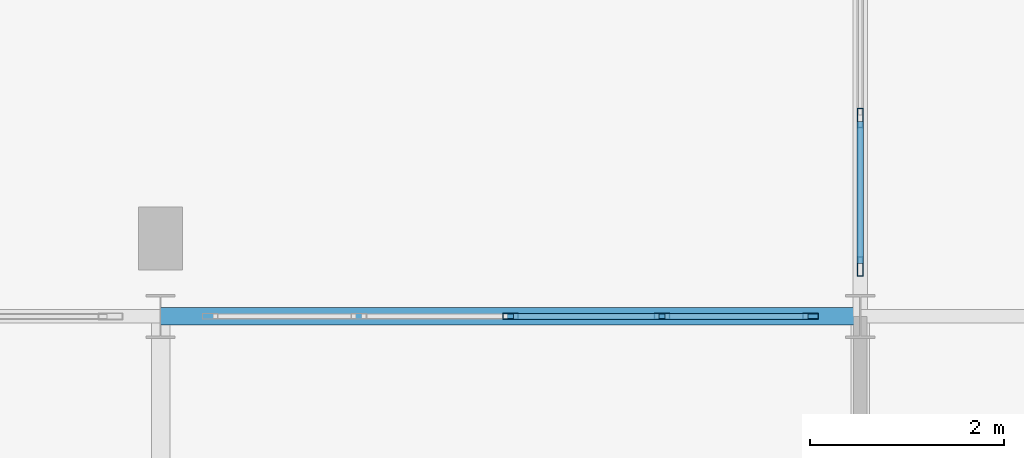
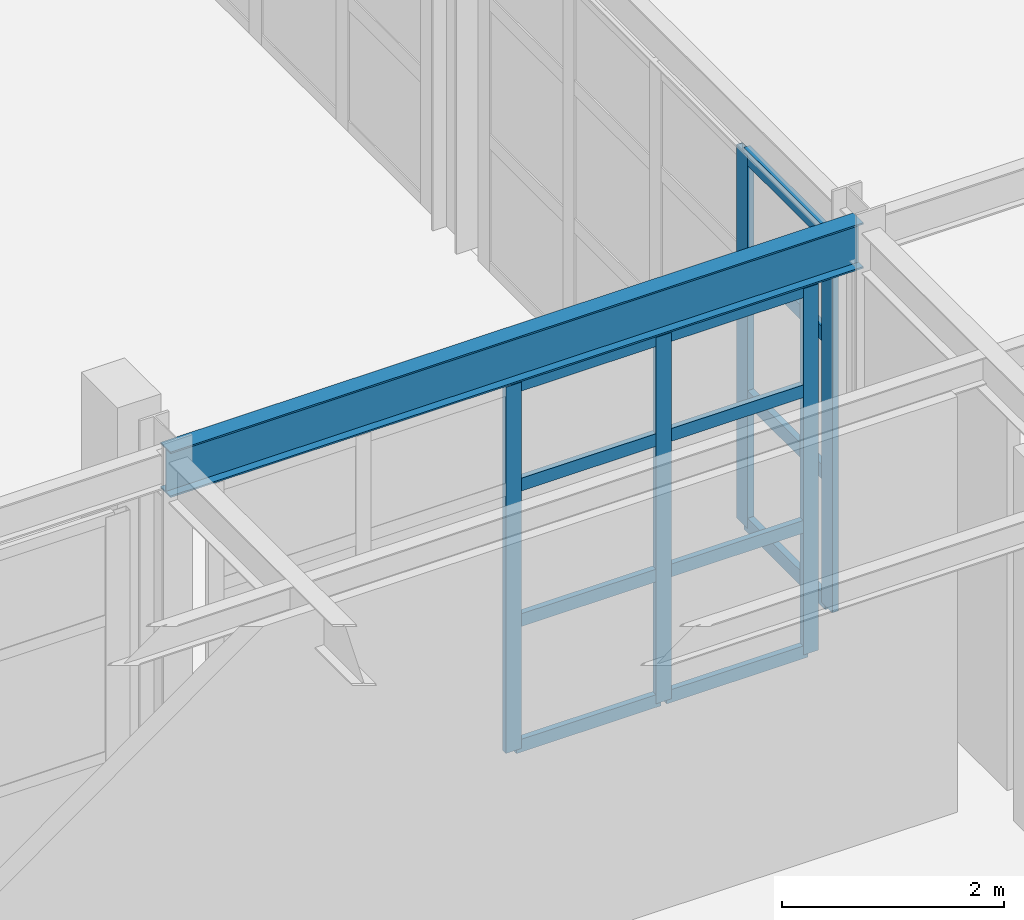
# One storey, part 27 of 83: 17 members, 1 beam, 2 elements without a shape of their own.
"""IFC4 building model written with IfcOpenShell, lengths in metres."""

from ifc_helpers import new_model, si_unit, direction, frame, origin, origin_2d, place, context, subcontext, project, spatial, hollow_rectangle, i_section, extrude, material, layer, layer_set, material_profile, profile_set, type_object, element, aggregate, save


model = new_model("IFC4")

# Units and contexts
model_context = context("Model", 3, precision=1e-05, world=origin(), true_north=direction((0.0, 1.0)))
body_context = subcontext(model_context, "Body", "Model", "MODEL_VIEW")
ifc_project = project(units=[si_unit("LENGTHUNIT", "METRE"), si_unit("AREAUNIT", "SQUARE_METRE"), si_unit("VOLUMEUNIT", "CUBIC_METRE"), si_unit("PLANEANGLEUNIT", "RADIAN"), si_unit("MASSUNIT", "GRAM", prefix="KILO")], contexts=[model_context])

# Site, building, storey
site_placement = place(None, origin())
site = spatial("IfcSite", under=ifc_project, at=site_placement, CompositionType="ELEMENT")
building_placement = place(site_placement, origin())
building = spatial("IfcBuilding", under=site, at=building_placement, Name="Solvadek Multi-Sports Hall", CompositionType="ELEMENT")
storey_placement = place(building_placement, origin())
storey = spatial("IfcBuildingStorey", under=building, at=storey_placement, Name="L00", CompositionType="ELEMENT", Elevation=0.0)

# Curtain wall, members
ifc_material_1 = material(Name="Anodised aluminium", Category="aluminium")
ifc_layer_1 = layer(ifc_material_1, 0.159912109375, Name="Anodised aluminium")
ifc_layer_set_1 = layer_set([ifc_layer_1], Name="Anodised aluminium")
curtain_wall_type_1 = type_object("IfcCurtainWallType", Name="ENV-CW-624X403", PredefinedType="USERDEFINED", material=ifc_layer_set_1)
curtain_wall_1_placement = place(storey_placement, origin())
curtain_wall_1 = element("IfcCurtainWall", 1, at=curtain_wall_1_placement, inside=storey, type_object=curtain_wall_type_1, Name="L00 Perimeter Bay Curtain Wall #174", ObjectType="CURTAIN WALL", PredefinedType="USERDEFINED")
ifc_material_profile_1 = material_profile(ifc_material_1, hollow_rectangle(XDim=0.06005859375, YDim=0.159912109375, WallThickness=0.00390625, at=origin_2d()), Name="ALU-M 160x60x4")
ifc_profile_set_1 = profile_set([ifc_material_profile_1], Name="Anodised aluminium")
member_type_1 = type_object("IfcMemberType", Name="ENV-CWM-01", PredefinedType="MULLION", material=ifc_profile_set_1)
member_1_placement = place(storey_placement, frame((54.0, 20.39990234375, 0.0), z_axis=(0.0, 0.0, 1.0), x_axis=(0.0, 1.0, 0.0)))
member_1 = element("IfcMember", 2, at=member_1_placement, type_object=member_type_1, Name="CW-43 mullion 3", PredefinedType="MULLION", context=body_context, shape_type="SweptSolid", body=[
    extrude(hollow_rectangle(XDim=0.06005859375, YDim=0.159912109375, WallThickness=0.00390625, at=origin_2d()), origin(), (0.0, 0.0, 1.0), 4.02490234375),
])
member_2_placement = place(storey_placement, frame((55.56005859375, 20.39990234375, 0.0), z_axis=(0.0, 0.0, 1.0), x_axis=(0.0, 1.0, 0.0)))
member_2 = element("IfcMember", 3, at=member_2_placement, type_object=member_type_1, Name="CW-43 mullion 4", PredefinedType="MULLION", context=body_context, shape_type="SweptSolid", body=[
    extrude(hollow_rectangle(XDim=0.06005859375, YDim=0.159912109375, WallThickness=0.00390625, at=origin_2d()), origin(), (0.0, 0.0, 1.0), 4.02490234375),
])
member_3_placement = place(storey_placement, frame((57.090087890625, 20.39990234375, 0.0), z_axis=(0.0, 0.0, 1.0), x_axis=(0.0, 1.0, 0.0)))
member_3 = element("IfcMember", 4, at=member_3_placement, type_object=member_type_1, Name="CW-43 mullion 5", PredefinedType="MULLION", context=body_context, shape_type="SweptSolid", body=[
    extrude(hollow_rectangle(XDim=0.06005859375, YDim=0.159912109375, WallThickness=0.00390625, at=origin_2d()), origin(), (0.0, 0.0, 1.0), 4.02490234375),
])

ifc_layer_2 = layer(ifc_material_1, 0.159912109375, Name="Anodised aluminium")
ifc_layer_set_2 = layer_set([ifc_layer_2], Name="Anodised aluminium")
curtain_wall_type_2 = type_object("IfcCurtainWallType", Name="ENV-CW-624X410", PredefinedType="USERDEFINED", material=ifc_layer_set_2)
curtain_wall_2_placement = place(storey_placement, origin())
curtain_wall_2 = element("IfcCurtainWall", 5, at=curtain_wall_2_placement, inside=storey, type_object=curtain_wall_type_2, Name="L00 Perimeter Bay Curtain Wall #183", ObjectType="CURTAIN WALL", PredefinedType="USERDEFINED")
ifc_material_profile_2 = material_profile(ifc_material_1, hollow_rectangle(XDim=0.06494140625, YDim=0.199951171875, WallThickness=0.0048828125, at=origin_2d()), Name="ALU-M 200x65x5")
ifc_profile_set_2 = profile_set([ifc_material_profile_2], Name="Anodised aluminium")
member_type_2 = type_object("IfcMemberType", Name="ENV-CWM-03", PredefinedType="MULLION", material=ifc_profile_set_2)
member_4_placement = place(storey_placement, frame((57.60009765625, 20.91259765625, 0.0), z_axis=(0.0, 0.0, 1.0), x_axis=(-1.0, 0.0, 0.0)))
member_4 = element("IfcMember", 6, at=member_4_placement, type_object=member_type_2, Name="CW-39 mullion 1", PredefinedType="MULLION", context=body_context, shape_type="SweptSolid", body=[
    extrude(hollow_rectangle(XDim=0.06494140625, YDim=0.199951171875, WallThickness=0.0048828125, at=origin_2d()), origin(), (0.0, 0.0, 1.0), 4.10009765625),
])
member_5_placement = place(storey_placement, frame((57.60009765625, 22.43994140625, 0.0), z_axis=(0.0, 0.0, 1.0), x_axis=(-1.0, 0.0, 0.0)))
member_5 = element("IfcMember", 7, at=member_5_placement, type_object=member_type_2, Name="CW-39 mullion 2", PredefinedType="MULLION", context=body_context, shape_type="SweptSolid", body=[
    extrude(hollow_rectangle(XDim=0.06494140625, YDim=0.199951171875, WallThickness=0.0048828125, at=origin_2d()), origin(), (0.0, 0.0, 1.0), 4.10009765625),
])

# Member
ifc_material_profile_3 = material_profile(ifc_material_1, hollow_rectangle(XDim=0.06005859375, YDim=0.139892578125, WallThickness=0.00390625, at=origin_2d()), Name="ALU-T 140x60x4")
ifc_profile_set_3 = profile_set([ifc_material_profile_3], Name="Anodised aluminium")
member_type_3 = type_object("IfcMemberType", Name="ENV-CWT-02", PredefinedType="USERDEFINED", material=ifc_profile_set_3)
member_6_placement = place(storey_placement, frame((54.030029296875, 20.39990234375, 0.030029296875), z_axis=(1.0, 0.0, 0.0), x_axis=(0.0, 1.0, 0.0)))
member_6 = element("IfcMember", 8, at=member_6_placement, type_object=member_type_3, Name="CW-43 transom 3.1", ObjectType="TRANSOM", PredefinedType="USERDEFINED", context=body_context, shape_type="SweptSolid", body=[
    extrude(hollow_rectangle(XDim=0.06005859375, YDim=0.139892578125, WallThickness=0.00390625, at=origin_2d()), origin(), (0.0, 0.0, 1.0), 1.5),
])

member_7_placement = place(storey_placement, frame((54.030029296875, 20.39990234375, 1.408935546875), z_axis=(1.0, 0.0, 0.0), x_axis=(0.0, 1.0, 0.0)))
member_7 = element("IfcMember", 9, at=member_7_placement, type_object=member_type_3, Name="CW-43 transom 3.2", ObjectType="TRANSOM", PredefinedType="USERDEFINED", context=body_context, shape_type="SweptSolid", body=[
    extrude(hollow_rectangle(XDim=0.06005859375, YDim=0.139892578125, WallThickness=0.00390625, at=origin_2d()), origin(), (0.0, 0.0, 1.0), 1.5),
])

member_8_placement = place(storey_placement, frame((54.030029296875, 20.39990234375, 2.89794921875), z_axis=(1.0, 0.0, 0.0), x_axis=(0.0, 1.0, 0.0)))
member_8 = element("IfcMember", 10, at=member_8_placement, type_object=member_type_3, Name="CW-43 transom 3.3", ObjectType="TRANSOM", PredefinedType="USERDEFINED", context=body_context, shape_type="SweptSolid", body=[
    extrude(hollow_rectangle(XDim=0.06005859375, YDim=0.139892578125, WallThickness=0.00390625, at=origin_2d()), origin(), (0.0, 0.0, 1.0), 1.5),
])

member_9_placement = place(storey_placement, frame((54.030029296875, 20.39990234375, 3.9951171875), z_axis=(1.0, 0.0, 0.0), x_axis=(0.0, 1.0, 0.0)))
member_9 = element("IfcMember", 11, at=member_9_placement, type_object=member_type_3, Name="CW-43 transom 3.4", ObjectType="TRANSOM", PredefinedType="USERDEFINED", context=body_context, shape_type="SweptSolid", body=[
    extrude(hollow_rectangle(XDim=0.06005859375, YDim=0.139892578125, WallThickness=0.00390625, at=origin_2d()), origin(), (0.0, 0.0, 1.0), 1.5),
])

member_10_placement = place(storey_placement, frame((55.590087890625, 20.39990234375, 0.030029296875), z_axis=(1.0, 0.0, 0.0), x_axis=(0.0, 1.0, 0.0)))
member_10 = element("IfcMember", 12, at=member_10_placement, type_object=member_type_3, Name="CW-43 transom 4.1", ObjectType="TRANSOM", PredefinedType="USERDEFINED", context=body_context, shape_type="SweptSolid", body=[
    extrude(hollow_rectangle(XDim=0.06005859375, YDim=0.139892578125, WallThickness=0.00390625, at=origin_2d()), origin(), (0.0, 0.0, 1.0), 1.469970703125),
])

member_11_placement = place(storey_placement, frame((55.590087890625, 20.39990234375, 1.408935546875), z_axis=(1.0, 0.0, 0.0), x_axis=(0.0, 1.0, 0.0)))
member_11 = element("IfcMember", 13, at=member_11_placement, type_object=member_type_3, Name="CW-43 transom 4.2", ObjectType="TRANSOM", PredefinedType="USERDEFINED", context=body_context, shape_type="SweptSolid", body=[
    extrude(hollow_rectangle(XDim=0.06005859375, YDim=0.139892578125, WallThickness=0.00390625, at=origin_2d()), origin(), (0.0, 0.0, 1.0), 1.469970703125),
])

member_12_placement = place(storey_placement, frame((55.590087890625, 20.39990234375, 2.89794921875), z_axis=(1.0, 0.0, 0.0), x_axis=(0.0, 1.0, 0.0)))
member_12 = element("IfcMember", 14, at=member_12_placement, type_object=member_type_3, Name="CW-43 transom 4.3", ObjectType="TRANSOM", PredefinedType="USERDEFINED", context=body_context, shape_type="SweptSolid", body=[
    extrude(hollow_rectangle(XDim=0.06005859375, YDim=0.139892578125, WallThickness=0.00390625, at=origin_2d()), origin(), (0.0, 0.0, 1.0), 1.469970703125),
])

member_13_placement = place(storey_placement, frame((55.590087890625, 20.39990234375, 3.9951171875), z_axis=(1.0, 0.0, 0.0), x_axis=(0.0, 1.0, 0.0)))
member_13 = element("IfcMember", 15, at=member_13_placement, type_object=member_type_3, Name="CW-43 transom 4.4", ObjectType="TRANSOM", PredefinedType="USERDEFINED", context=body_context, shape_type="SweptSolid", body=[
    extrude(hollow_rectangle(XDim=0.06005859375, YDim=0.139892578125, WallThickness=0.00390625, at=origin_2d()), origin(), (0.0, 0.0, 1.0), 1.469970703125),
])

aggregate(curtain_wall_1, [member_1, member_2, member_3, member_6, member_7, member_8, member_9, member_10, member_11, member_12, member_13])

ifc_material_profile_4 = material_profile(ifc_material_1, hollow_rectangle(XDim=0.06494140625, YDim=0.159912109375, WallThickness=0.00390625, at=origin_2d()), Name="ALU-T 160x65x4")
ifc_profile_set_4 = profile_set([ifc_material_profile_4], Name="Anodised aluminium")
member_type_4 = type_object("IfcMemberType", Name="ENV-CWT-03", PredefinedType="USERDEFINED", material=ifc_profile_set_4)
member_14_placement = place(storey_placement, frame((57.60009765625, 20.945068359375, 0.032470703125), z_axis=(0.0, 1.0, 0.0), x_axis=(-1.0, 0.0, 0.0)))
member_14 = element("IfcMember", 16, at=member_14_placement, type_object=member_type_4, Name="CW-39 transom 1.1", ObjectType="TRANSOM", PredefinedType="USERDEFINED", context=body_context, shape_type="SweptSolid", body=[
    extrude(hollow_rectangle(XDim=0.06494140625, YDim=0.159912109375, WallThickness=0.00390625, at=origin_2d()), origin(), (0.0, 0.0, 1.0), 1.46240234375),
])

member_15_placement = place(storey_placement, frame((57.60009765625, 20.945068359375, 1.43505859375), z_axis=(0.0, 1.0, 0.0), x_axis=(-1.0, 0.0, 0.0)))
member_15 = element("IfcMember", 17, at=member_15_placement, type_object=member_type_4, Name="CW-39 transom 1.2", ObjectType="TRANSOM", PredefinedType="USERDEFINED", context=body_context, shape_type="SweptSolid", body=[
    extrude(hollow_rectangle(XDim=0.06494140625, YDim=0.159912109375, WallThickness=0.00390625, at=origin_2d()), origin(), (0.0, 0.0, 1.0), 1.46240234375),
])

member_16_placement = place(storey_placement, frame((57.60009765625, 20.945068359375, 2.951904296875), z_axis=(0.0, 1.0, 0.0), x_axis=(-1.0, 0.0, 0.0)))
member_16 = element("IfcMember", 18, at=member_16_placement, type_object=member_type_4, Name="CW-39 transom 1.3", ObjectType="TRANSOM", PredefinedType="USERDEFINED", context=body_context, shape_type="SweptSolid", body=[
    extrude(hollow_rectangle(XDim=0.06494140625, YDim=0.159912109375, WallThickness=0.00390625, at=origin_2d()), origin(), (0.0, 0.0, 1.0), 1.46240234375),
])

member_17_placement = place(storey_placement, frame((57.60009765625, 20.945068359375, 4.0673828125), z_axis=(0.0, 1.0, 0.0), x_axis=(-1.0, 0.0, 0.0)))
member_17 = element("IfcMember", 19, at=member_17_placement, type_object=member_type_4, Name="CW-39 transom 1.4", ObjectType="TRANSOM", PredefinedType="USERDEFINED", context=body_context, shape_type="SweptSolid", body=[
    extrude(hollow_rectangle(XDim=0.06494140625, YDim=0.159912109375, WallThickness=0.00390625, at=origin_2d()), origin(), (0.0, 0.0, 1.0), 1.46240234375),
])

aggregate(curtain_wall_2, [member_4, member_5, member_14, member_15, member_16, member_17])

# Beam
ifc_material_2 = material(Name="Steel E350 (350 MPa)", Category="steel")
ifc_material_profile_5 = material_profile(ifc_material_2, i_section(OverallWidth=0.179931640625, OverallDepth=0.5, WebThickness=0.01025390625, FlangeThickness=0.01708984375, at=origin_2d()), Name="ISMB 500")
ifc_profile_set_5 = profile_set([ifc_material_profile_5], Name="Steel E350 (350 MPa)")
beam_type = type_object("IfcBeamType", Name="STR-BM-ISMB500", PredefinedType="BEAM", material=ifc_profile_set_5)
beam_placement = place(storey_placement, frame((50.39990234375, 20.39990234375, 4.330078125), z_axis=(1.0, 0.0, 0.0), x_axis=(0.0, 1.0, 0.0)))
element("IfcBeam", 20, at=beam_placement, inside=storey, type_object=beam_type, Name="L00 Girder B-07 #563", PredefinedType="BEAM", context=body_context, shape_type="SweptSolid", body=[
    extrude(i_section(OverallWidth=0.179931640625, OverallDepth=0.5, WebThickness=0.01025390625, FlangeThickness=0.01708984375, at=origin_2d()), origin(), (0.0, 0.0, 1.0), 7.2001953125),
])

save(model, "model.ifc")
